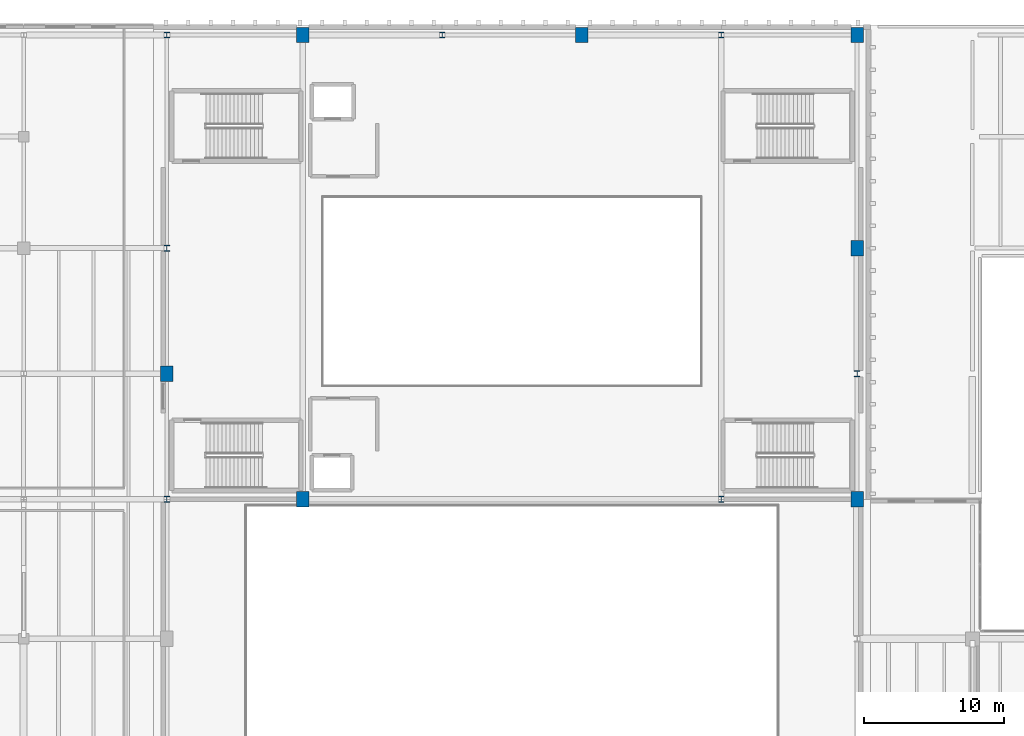
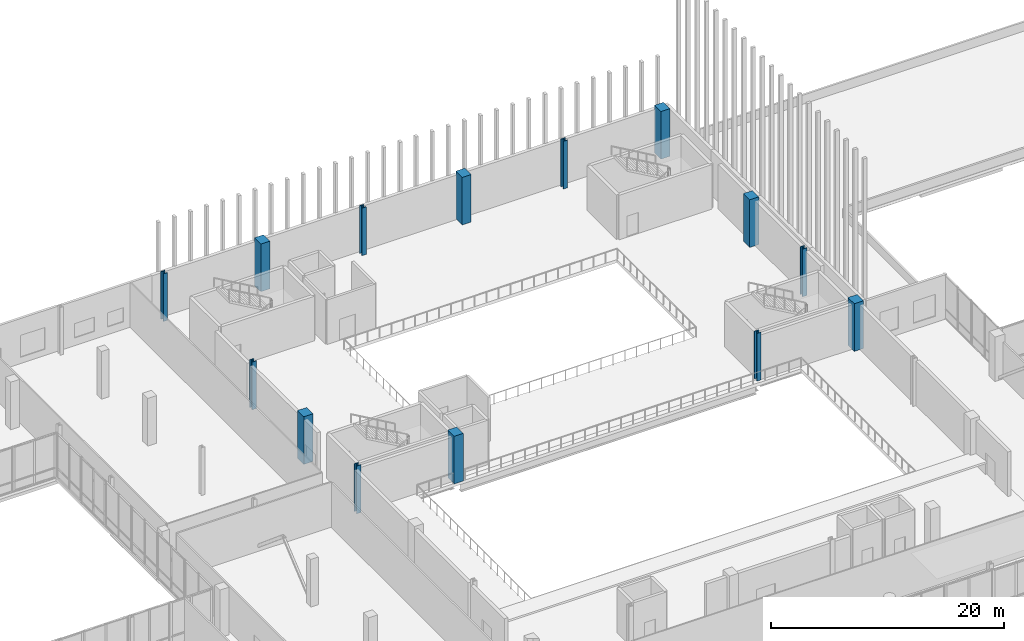
# One storey, part 8 of 60: 14 columns.
"""IFC4 building model written with IfcOpenShell, lengths in metres."""

from ifc_helpers import new_model, si_unit, direction, frame, origin, origin_2d, place, context, subcontext, project, spatial, rectangle, i_section, extrude, material, material_profile, profile_set, type_object, element, save


model = new_model("IFC4")

# Units and contexts
model_context = context("Model", 3, precision=1e-05, world=origin(), true_north=direction((0.0, 1.0)))
body_context = subcontext(model_context, "Body", "Model", "MODEL_VIEW")
ifc_project = project(units=[si_unit("LENGTHUNIT", "METRE"), si_unit("AREAUNIT", "SQUARE_METRE"), si_unit("VOLUMEUNIT", "CUBIC_METRE"), si_unit("PLANEANGLEUNIT", "RADIAN"), si_unit("MASSUNIT", "GRAM", prefix="KILO")], contexts=[model_context])

# Site, building, storey
site_placement = place(None, origin())
site = spatial("IfcSite", under=ifc_project, at=site_placement, CompositionType="ELEMENT")
building_placement = place(site_placement, origin())
building = spatial("IfcBuilding", under=site, at=building_placement, Name="Trimount Lyric Opera House", CompositionType="ELEMENT")
storey_placement = place(building_placement, frame((0.0, 0.0, 15.0)))
storey = spatial("IfcBuildingStorey", under=building, at=storey_placement, Name="L03", CompositionType="ELEMENT", Elevation=15.0)

# Columns
ifc_material_1 = material(Name="Steel ASTM A992 Grade 50", Category="steel")
ifc_material_profile_1 = material_profile(ifc_material_1, i_section(OverallWidth=0.422119140625, OverallDepth=0.465087890625, WebThickness=0.044921875, FlangeThickness=0.072509765625, FilletRadius=0.02001953125, at=origin_2d()), Name="W14X398")
ifc_profile_set_1 = profile_set([ifc_material_profile_1], Name="Steel ASTM A992 Grade 50")
column_type_1 = type_object("IfcColumnType", Name="C-01", PredefinedType="COLUMN", material=ifc_profile_set_1)
for number, where, z_axis, x_axis, name in (
    (1, (64.260009765625, 84.0, 0.0), (0.0, 0.0, 1.0), (1.0, 0.0, 0.0), "L03 column 8/K"),
    (2, (64.260009765625, 102.0, 0.0), (0.0, 0.0, 1.0), (1.0, 0.0, 0.0), "L03 column 8/M"),
    (3, (64.260009765625, 117.280029296875, 0.0), (0.0, 0.0, 1.0), (1.0, 0.0, 0.0), "L03 column 8/P"),
    (4, (84.0, 117.280029296875, 0.0), (0.0, 0.0, 1.0), (1.0, 0.0, 0.0), "L03 column 10/P"),
    (5, (104.0, 84.0, 0.0), (0.0, 0.0, 1.0), (1.0, 0.0, 0.0), "L03 column 12/K"),
    (6, (104.0, 117.280029296875, 0.0), (0.0, 0.0, 1.0), (1.0, 0.0, 0.0), "L03 column 12/P"),
    (7, (113.739990234375, 93.0, 0.0), (0.0, 0.0, 1.0), (1.0, 0.0, 0.0), "L03 column 13/L"),
):
    element("IfcColumn", number, at=place(storey_placement, frame(where, z_axis=z_axis, x_axis=x_axis)), inside=storey, type_object=column_type_1, Name=name, PredefinedType="COLUMN", context=body_context, shape_type="SweptSolid", body=[
        extrude(i_section(OverallWidth=0.422119140625, OverallDepth=0.465087890625, WebThickness=0.044921875, FlangeThickness=0.072509765625, FilletRadius=0.02001953125, at=origin_2d()), origin(), (0.0, 0.0, 1.0), 5.0),
    ])
ifc_material_2 = material(Name="Concrete C50/60", Category="concrete")
ifc_material_profile_2 = material_profile(ifc_material_2, rectangle(XDim=0.89990234375, YDim=1.10009765625, at=origin_2d()), Name="RC1100X900")
ifc_profile_set_2 = profile_set([ifc_material_profile_2], Name="Concrete C50/60")
column_type_2 = type_object("IfcColumnType", Name="C-11", PredefinedType="COLUMN", material=ifc_profile_set_2)
for number, where, z_axis, x_axis, name in (
    (8, (64.260009765625, 93.0, 0.0), (0.0, 0.0, 1.0), (1.0, 0.0, 0.0), "L03 column 8/L"),
    (9, (74.0, 84.0, 0.0), (0.0, 0.0, 1.0), (1.0, 0.0, 0.0), "L03 column 9/K"),
    (10, (74.0, 117.280029296875, 0.0), (0.0, 0.0, 1.0), (1.0, 0.0, 0.0), "L03 column 9/P"),
    (11, (94.0, 117.280029296875, 0.0), (0.0, 0.0, 1.0), (1.0, 0.0, 0.0), "L03 column 11/P"),
    (12, (113.739990234375, 84.0, 0.0), (0.0, 0.0, 1.0), (1.0, 0.0, 0.0), "L03 column 13/K"),
    (13, (113.739990234375, 102.0, 0.0), (0.0, 0.0, 1.0), (1.0, 0.0, 0.0), "L03 column 13/M"),
    (14, (113.739990234375, 117.280029296875, 0.0), (0.0, 0.0, 1.0), (1.0, 0.0, 0.0), "L03 column 13/P"),
):
    element("IfcColumn", number, at=place(storey_placement, frame(where, z_axis=z_axis, x_axis=x_axis)), inside=storey, type_object=column_type_2, Name=name, PredefinedType="COLUMN", context=body_context, shape_type="SweptSolid", body=[
        extrude(rectangle(XDim=0.89990234375, YDim=1.10009765625, at=origin_2d()), origin(), (0.0, 0.0, 1.0), 5.0),
    ])

save(model, "model.ifc")
